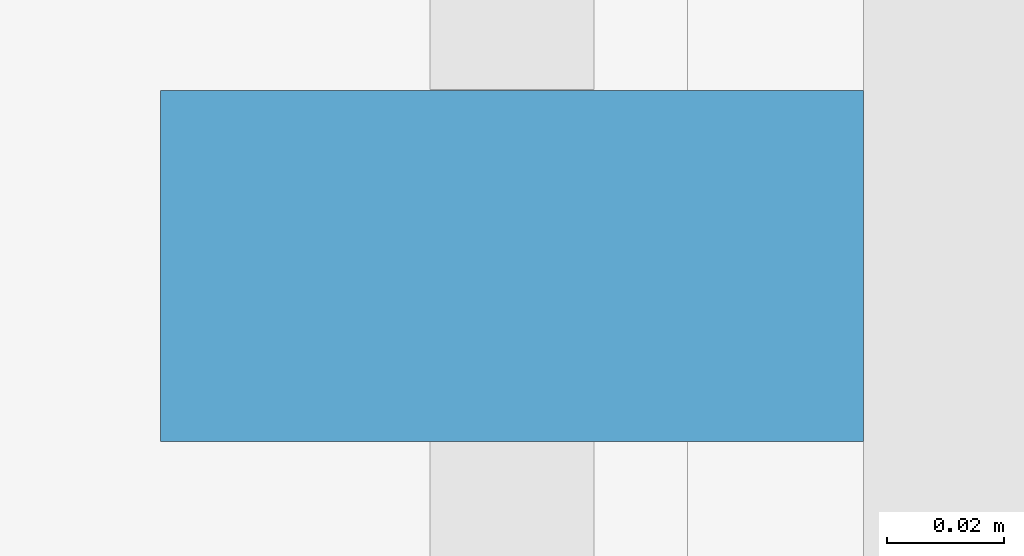
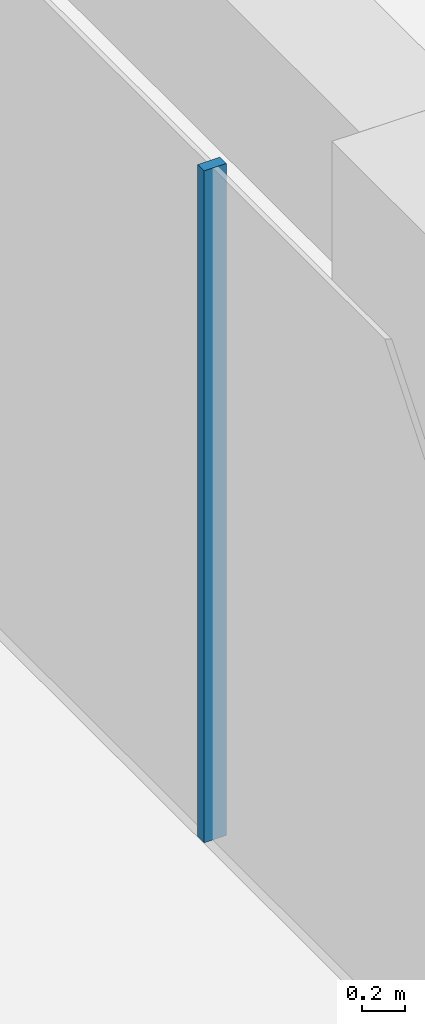
# One storey, part 12 of 24: 1 member, 1 element without a shape of its own.
"""IFC4 building model written with IfcOpenShell, lengths in metres."""

from ifc_helpers import new_model, si_unit, direction, frame, origin, origin_2d, place, context, subcontext, project, spatial, rectangle, extrude, material, layer, layer_set, material_profile, profile_set, type_object, element, aggregate, save


model = new_model("IFC4")

# Units and contexts
model_context = context("Model", 3, precision=1e-05, world=origin(), true_north=direction((0.0, 1.0)))
body_context = subcontext(model_context, "Body", "Model", "MODEL_VIEW")
ifc_project = project(units=[si_unit("LENGTHUNIT", "METRE"), si_unit("AREAUNIT", "SQUARE_METRE"), si_unit("VOLUMEUNIT", "CUBIC_METRE"), si_unit("PLANEANGLEUNIT", "RADIAN"), si_unit("MASSUNIT", "GRAM", prefix="KILO")], contexts=[model_context])

# Site, building, storey
site_placement = place(None, origin())
site = spatial("IfcSite", under=ifc_project, at=site_placement, CompositionType="ELEMENT")
building_placement = place(site_placement, origin())
building = spatial("IfcBuilding", under=site, at=building_placement, Name="Welwitschia Terrace Campus", CompositionType="ELEMENT")
storey_placement = place(building_placement, frame((0.0, 0.0, 129.800048828125)))
storey = spatial("IfcBuildingStorey", under=building, at=storey_placement, Name="L29", CompositionType="ELEMENT", Elevation=129.800048828125)

# Curtain wall, member
ifc_material_1 = material(Name="Bronze anodised aluminium", Category="aluminium")
ifc_layer = layer(ifc_material_1, 0.1201171875)
ifc_layer_set = layer_set([ifc_layer], Name="Bronze anodised aluminium")
curtain_wall_type = type_object("IfcCurtainWallType", Name="Curtain wall CW2 tower 6000", PredefinedType="NOTDEFINED", material=ifc_layer_set)
curtain_wall_placement = place(storey_placement, origin())
curtain_wall = element("IfcCurtainWall", 1, at=curtain_wall_placement, inside=storey, type_object=curtain_wall_type, Name="CW L29.13.0", PredefinedType="NOTDEFINED")
ifc_material_2 = material(Name="Bronze anodised aluminium", Category="aluminium")
ifc_material_profile = material_profile(ifc_material_2, rectangle(XDim=0.1201171875, YDim=0.06005859375, at=origin_2d()))
ifc_profile_set = profile_set([ifc_material_profile], Name="Bronze anodised aluminium")
member_type = type_object("IfcMemberType", Name="Mullion 60x120", PredefinedType="MULLION", material=ifc_profile_set)
member_placement = place(storey_placement, frame((-1.030029296875, 52.57080078125, 0.0), z_axis=(0.0, 0.0, 1.0), x_axis=(1.0, 0.0, 0.0)))
member = element("IfcMember", 2, at=member_placement, type_object=member_type, Name="Mullion L29.13.0.3", PredefinedType="MULLION", context=body_context, shape_type="SweptSolid", body=[
    extrude(rectangle(XDim=0.1201171875, YDim=0.06005859375, at=origin_2d()), origin(), (0.0, 0.0, 1.0), 3.849853515625),
])
aggregate(curtain_wall, [member])

save(model, "model.ifc")
